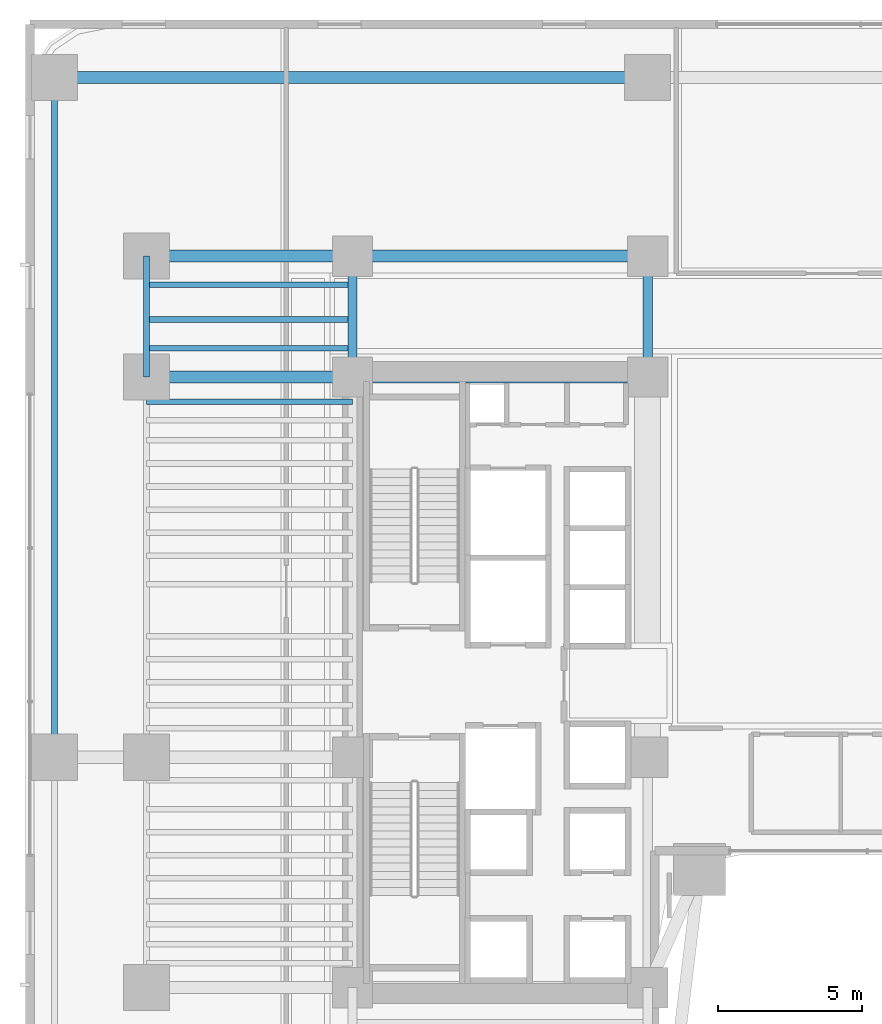
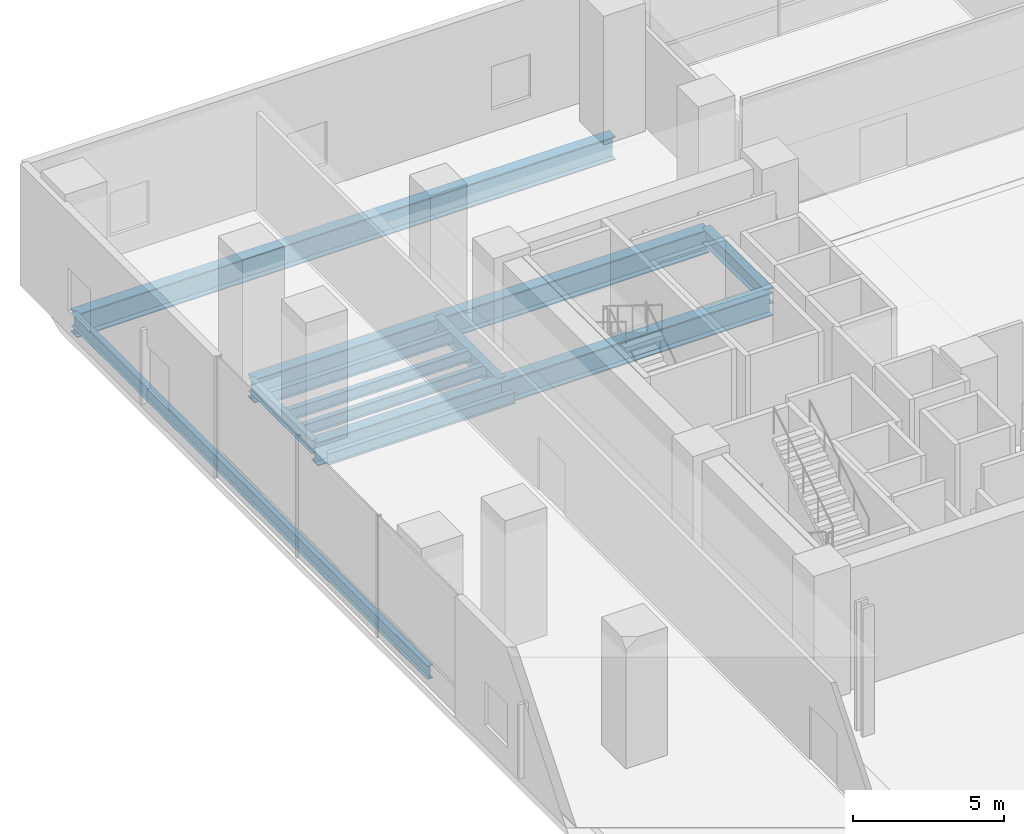
# One storey, part 13 of 39: 13 beams.
"""IFC4 building model written with IfcOpenShell, lengths in metres."""

from ifc_helpers import new_model, si_unit, direction, frame, origin, origin_2d, place, context, subcontext, project, spatial, i_section, extrude, source, transform, mapped, material, material_profile, profile_set, type_object, element, save


model = new_model("IFC4")

# Units and contexts
model_context = context("Model", 3, precision=1e-05, world=origin(), true_north=direction((0.0, 1.0)))
body_context = subcontext(model_context, "Body", "Model", "MODEL_VIEW")
ifc_project = project(units=[si_unit("LENGTHUNIT", "METRE"), si_unit("AREAUNIT", "SQUARE_METRE"), si_unit("VOLUMEUNIT", "CUBIC_METRE"), si_unit("PLANEANGLEUNIT", "RADIAN"), si_unit("MASSUNIT", "GRAM", prefix="KILO")], contexts=[model_context])

# Site, building, storey
site_placement = place(None, origin())
site = spatial("IfcSite", under=ifc_project, at=site_placement, CompositionType="ELEMENT")
building_placement = place(site_placement, origin())
building = spatial("IfcBuilding", under=site, at=building_placement, Name="Valdorenza Pilgrim Sanctuary Tower", CompositionType="ELEMENT")
storey_placement = place(building_placement, frame((0.0, 0.0, 5.199951171875)))
storey = spatial("IfcBuildingStorey", under=building, at=storey_placement, Name="L01", CompositionType="ELEMENT", Elevation=5.199951171875)

# Beams
ifc_material = material(Name="Steel ASTM A992 Grade 50", Category="steel")
ifc_material_profile_1 = material_profile(ifc_material, i_section(OverallWidth=0.423095703125, OverallDepth=0.947998046875, WebThickness=0.02392578125, FlangeThickness=0.042724609375, at=origin_2d()), Name="W36X302")
ifc_profile_set_1 = profile_set([ifc_material_profile_1], Name="Steel ASTM A992 Grade 50")
beam_type_1 = type_object("IfcBeamType", Name="STR-BM-GRD-W36A", PredefinedType="BEAM", material=ifc_profile_set_1)
shared_shape_1 = source(origin(), body_context, "Body", "SweptSolid", [
    extrude(i_section(OverallWidth=0.423095703125, OverallDepth=0.947998046875, WebThickness=0.02392578125, FlangeThickness=0.042724609375, at=origin_2d()), origin(), (0.0, 0.0, 1.0), 7.150146484375),
])
for number, where, z_axis, x_axis, name in (
    (1, (-29.800048828125, 10.60009765625, -0.75390625), (1.0, 0.0, 0.0), (0.0, 1.0, 0.0), "L01 Floor Girder WA-XW-N1"),
    (2, (-29.800048828125, 14.800048828125, -0.75390625), (1.0, 0.0, 0.0), (0.0, 1.0, 0.0), "L01 Floor Girder WA-XW-N2"),
):
    element("IfcBeam", number, at=place(storey_placement, frame(where, z_axis=z_axis, x_axis=x_axis)), inside=storey, type_object=beam_type_1, Name=name, PredefinedType="BEAM", context=body_context, shape_type="MappedRepresentation", body=[
        mapped(shared_shape_1, transform((0.0, 0.0, 0.0), x_axis=(1.0, 0.0, 0.0), y_axis=(0.0, 1.0, 0.0), z_axis=(0.0, 0.0, 1.0), scale=1.0)),
    ])
shared_shape_2 = source(origin(), body_context, "Body", "SweptSolid", [
    extrude(i_section(OverallWidth=0.423095703125, OverallDepth=0.947998046875, WebThickness=0.02392578125, FlangeThickness=0.042724609375, at=origin_2d()), origin(), (0.0, 0.0, 1.0), 10.25),
])
for number, where, z_axis, x_axis, name in (
    (3, (-22.64990234375, 10.60009765625, -0.75390625), (1.0, 0.0, 0.0), (0.0, 1.0, 0.0), "L01 Floor Girder CA-XC-N1"),
    (4, (-22.64990234375, 14.800048828125, -0.75390625), (1.0, 0.0, 0.0), (0.0, 1.0, 0.0), "L01 Floor Girder CA-XC-N2"),
):
    element("IfcBeam", number, at=place(storey_placement, frame(where, z_axis=z_axis, x_axis=x_axis)), inside=storey, type_object=beam_type_1, Name=name, PredefinedType="BEAM", context=body_context, shape_type="MappedRepresentation", body=[
        mapped(shared_shape_2, transform((0.0, 0.0, 0.0), x_axis=(1.0, 0.0, 0.0), y_axis=(0.0, 1.0, 0.0), z_axis=(0.0, 0.0, 1.0), scale=1.0)),
    ])
ifc_material_profile_2 = material_profile(ifc_material, i_section(OverallWidth=0.214111328125, OverallDepth=0.549072265625, WebThickness=0.0146484375, FlangeThickness=0.023681640625, at=origin_2d()), Name="W21X93")
ifc_profile_set_2 = profile_set([ifc_material_profile_2], Name="Steel ASTM A992 Grade 50")
beam_type_2 = type_object("IfcBeamType", Name="STR-BM-SPN-W21A", PredefinedType="SPANDREL", material=ifc_profile_set_2)
shared_shape_3 = source(origin(), body_context, "Body", "SweptSolid", [
    extrude(i_section(OverallWidth=0.214111328125, OverallDepth=0.549072265625, WebThickness=0.0146484375, FlangeThickness=0.023681640625, at=origin_2d()), origin(), (0.0, 0.0, 1.0), 4.199951171875),
])
beam_1_placement = place(storey_placement, frame((-29.800048828125, 10.60009765625, -0.554443359375), z_axis=(0.0, 1.0, 0.0), x_axis=(-1.0, 0.0, 0.0)))
element("IfcBeam", 5, at=beam_1_placement, inside=storey, type_object=beam_type_2, Name="L01 Spandrel Beam WA-W-N1N2", PredefinedType="SPANDREL", context=body_context, shape_type="MappedRepresentation", body=[
    mapped(shared_shape_3, transform((0.0, 0.0, 0.0), x_axis=(1.0, 0.0, 0.0), y_axis=(0.0, 1.0, 0.0), z_axis=(0.0, 0.0, 1.0), scale=1.0)),
])
ifc_material_profile_3 = material_profile(ifc_material, i_section(OverallWidth=0.323974609375, OverallDepth=0.611083984375, WebThickness=0.0126953125, FlangeThickness=0.01904296875, at=origin_2d()), Name="W24X104")
ifc_profile_set_3 = profile_set([ifc_material_profile_3], Name="Steel ASTM A992 Grade 50")
beam_type_3 = type_object("IfcBeamType", Name="STR-BM-GRD-W24B", PredefinedType="BEAM", material=ifc_profile_set_3)
shared_shape_4 = source(origin(), body_context, "Body", "SweptSolid", [
    extrude(i_section(OverallWidth=0.323974609375, OverallDepth=0.611083984375, WebThickness=0.0126953125, FlangeThickness=0.01904296875, at=origin_2d()), origin(), (0.0, 0.0, 1.0), 4.199951171875),
])
for number, where, z_axis, x_axis, name in (
    (6, (-22.64990234375, 10.60009765625, -0.58544921875), (0.0, 1.0, 0.0), (-1.0, 0.0, 0.0), "L01 Core Tie Girder CA-W-N1N2"),
    (7, (-12.39990234375, 10.60009765625, -0.58544921875), (0.0, 1.0, 0.0), (-1.0, 0.0, 0.0), "L01 Core Tie Girder CA-E-N1N2"),
):
    element("IfcBeam", number, at=place(storey_placement, frame(where, z_axis=z_axis, x_axis=x_axis)), inside=storey, type_object=beam_type_3, Name=name, PredefinedType="BEAM", context=body_context, shape_type="MappedRepresentation", body=[
        mapped(shared_shape_4, transform((0.0, 0.0, 0.0), x_axis=(1.0, 0.0, 0.0), y_axis=(0.0, 1.0, 0.0), z_axis=(0.0, 0.0, 1.0), scale=1.0)),
    ])
ifc_material_profile_4 = material_profile(ifc_material, i_section(OverallWidth=0.193115234375, OverallDepth=0.466064453125, WebThickness=0.011474609375, FlangeThickness=0.01904296875, at=origin_2d()), Name="W18X65")
ifc_profile_set_4 = profile_set([ifc_material_profile_4], Name="Steel ASTM A992 Grade 50")
beam_type_4 = type_object("IfcBeamType", Name="STR-BM-JST-W18A", PredefinedType="JOIST", material=ifc_profile_set_4)
shared_shape_5 = source(origin(), body_context, "Body", "SweptSolid", [
    extrude(i_section(OverallWidth=0.193115234375, OverallDepth=0.466064453125, WebThickness=0.011474609375, FlangeThickness=0.01904296875, at=origin_2d()), origin(), (0.0, 0.0, 1.0), 7.150146484375),
])
for number, where, z_axis, x_axis, name in (
    (8, (-29.800048828125, 9.75, -0.512939453125), (1.0, 0.0, 0.0), (0.0, 1.0, 0.0), "L01 Composite Floor Joist JST-WA-23"),
    (9, (-29.800048828125, 11.60009765625, -0.512939453125), (1.0, 0.0, 0.0), (0.0, 1.0, 0.0), "L01 Composite Floor Joist JST-WA-24"),
    (10, (-29.800048828125, 12.60009765625, -0.512939453125), (1.0, 0.0, 0.0), (0.0, 1.0, 0.0), "L01 Composite Floor Joist JST-WA-25"),
    (11, (-29.800048828125, 13.800048828125, -0.512939453125), (1.0, 0.0, 0.0), (0.0, 1.0, 0.0), "L01 Composite Floor Joist JST-WA-26"),
):
    element("IfcBeam", number, at=place(storey_placement, frame(where, z_axis=z_axis, x_axis=x_axis)), inside=storey, type_object=beam_type_4, Name=name, PredefinedType="JOIST", context=body_context, shape_type="MappedRepresentation", body=[
        mapped(shared_shape_5, transform((0.0, 0.0, 0.0), x_axis=(1.0, 0.0, 0.0), y_axis=(0.0, 1.0, 0.0), z_axis=(0.0, 0.0, 1.0), scale=1.0)),
    ])
shared_shape_6 = source(origin(), body_context, "Body", "SweptSolid", [
    extrude(i_section(OverallWidth=0.214111328125, OverallDepth=0.549072265625, WebThickness=0.0146484375, FlangeThickness=0.023681640625, at=origin_2d()), origin(), (0.0, 0.0, 1.0), 23.60009765625),
])
beam_2_placement = place(storey_placement, frame((-33.0, -2.60009765625, -0.554443359375), z_axis=(0.0, 1.0, 0.0), x_axis=(-1.0, 0.0, 0.0)))
element("IfcBeam", 12, at=beam_2_placement, inside=storey, type_object=beam_type_2, Name="L01 Floor Girder POD-SPN-WN", PredefinedType="SPANDREL", context=body_context, shape_type="MappedRepresentation", body=[
    mapped(shared_shape_6, transform((0.0, 0.0, 0.0), x_axis=(1.0, 0.0, 0.0), y_axis=(0.0, 1.0, 0.0), z_axis=(0.0, 0.0, 1.0), scale=1.0)),
])
shared_shape_7 = source(origin(), body_context, "Body", "SweptSolid", [
    extrude(i_section(OverallWidth=0.423095703125, OverallDepth=0.947998046875, WebThickness=0.02392578125, FlangeThickness=0.042724609375, at=origin_2d()), origin(), (0.0, 0.0, 1.0), 20.60009765625),
])
beam_3_placement = place(storey_placement, frame((-33.0, 21.0, -0.75390625), z_axis=(1.0, 0.0, 0.0), x_axis=(0.0, 1.0, 0.0)))
element("IfcBeam", 13, at=beam_3_placement, inside=storey, type_object=beam_type_1, Name="L01 Floor Girder POD-N-TIE1", PredefinedType="BEAM", context=body_context, shape_type="MappedRepresentation", body=[
    mapped(shared_shape_7, transform((0.0, 0.0, 0.0), x_axis=(1.0, 0.0, 0.0), y_axis=(0.0, 1.0, 0.0), z_axis=(0.0, 0.0, 1.0), scale=1.0)),
])

save(model, "model.ifc")
